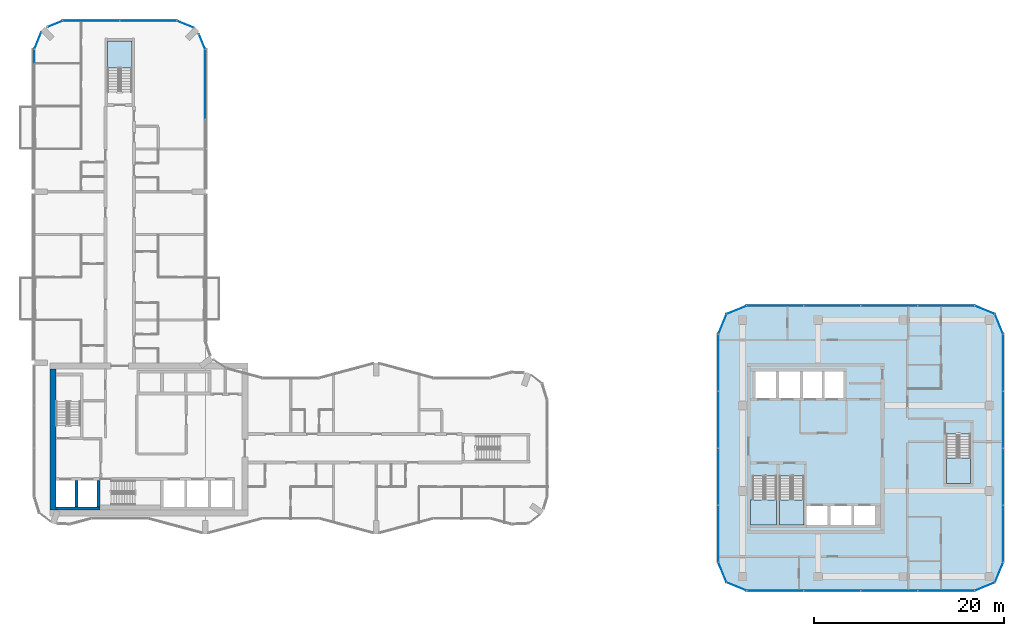
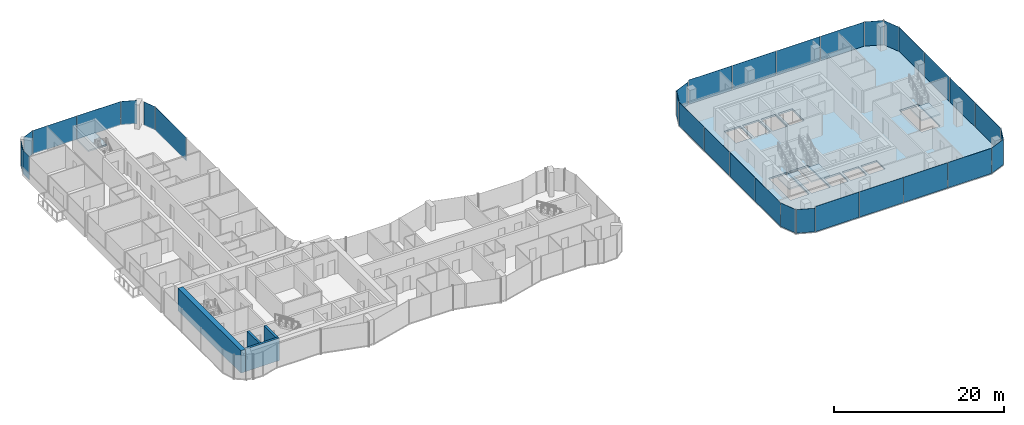
# One storey, part 12 of 22: 32 plates, 5 slabs, 4 walls, 23 elements without a shape of their own.
"""IFC4 building model written with IfcOpenShell, lengths in metres."""

from ifc_helpers import new_model, si_unit, direction, frame, frame_2d, origin, origin_2d, place, context, subcontext, project, spatial, polyline, rectangle, outline, extrude, material, layer, layer_set, type_object, element, aggregate, save


model = new_model("IFC4")

# Units and contexts
model_context = context("Model", 3, precision=1e-05, world=origin(), true_north=direction((0.0, 1.0)))
body_context = subcontext(model_context, "Body", "Model", "MODEL_VIEW")
ifc_project = project(units=[si_unit("LENGTHUNIT", "METRE"), si_unit("AREAUNIT", "SQUARE_METRE"), si_unit("VOLUMEUNIT", "CUBIC_METRE"), si_unit("PLANEANGLEUNIT", "RADIAN"), si_unit("MASSUNIT", "GRAM", prefix="KILO")], contexts=[model_context])

# Site, building, storey
site_placement = place(None, origin())
site = spatial("IfcSite", under=ifc_project, at=site_placement, CompositionType="ELEMENT")
building_placement = place(site_placement, origin())
building = spatial("IfcBuilding", under=site, at=building_placement, Name="Plateau Cross Towers", CompositionType="ELEMENT")
storey_placement = place(building_placement, frame((0.0, 0.0, 113.300048828125)))
storey = spatial("IfcBuildingStorey", under=building, at=storey_placement, Name="L29", CompositionType="ELEMENT", Elevation=113.300048828125)

# Curtain wall, plates
ifc_material_1 = material(Name="Dark low-iron glass", Category="glass")
ifc_layer_1 = layer(ifc_material_1, 0.239990234375)
ifc_layer_set_1 = layer_set([ifc_layer_1], Name="Dark low-iron glass")
curtain_wall_type_1 = type_object("IfcCurtainWallType", Name="Curtain wall office unitised CW-F", PredefinedType="NOTDEFINED", material=ifc_layer_set_1)
curtain_wall_1_placement = place(storey_placement, origin())
curtain_wall_1 = element("IfcCurtainWall", 1, at=curtain_wall_1_placement, inside=storey, type_object=curtain_wall_type_1, Name="ENV/B/L29/B750_-60", PredefinedType="NOTDEFINED")
ifc_layer_2 = layer(ifc_material_1, 0.028076171875)
ifc_layer_set_2 = layer_set([ifc_layer_2], Name="Dark low-iron glass")
plate_type_1 = type_object("IfcPlateType", Name="Glass panel 28 office unitised", PredefinedType="CURTAIN_PANEL", material=ifc_layer_set_2)
plate_1_placement = place(storey_placement, frame((78.0, -6.0, -0.1298828125), z_axis=(0.0, 0.0, 1.0), x_axis=(1.0, 0.0, 0.0)))
plate_1 = element("IfcPlate", 2, at=plate_1_placement, type_object=plate_type_1, Name="CW-F panel 1", PredefinedType="CURTAIN_PANEL", context=body_context, shape_type="SweptSolid", body=[
    extrude(rectangle(XDim=5.93994140625, YDim=0.028076171875, at=origin_2d()), origin(), (0.0, 0.0, 1.0), 3.6298828125),
])
plate_2_placement = place(storey_placement, frame((84.0, -6.0, -0.1298828125), z_axis=(0.0, 0.0, 1.0), x_axis=(1.0, 0.0, 0.0)))
plate_2 = element("IfcPlate", 3, at=plate_2_placement, type_object=plate_type_1, Name="CW-F panel 2", PredefinedType="CURTAIN_PANEL", context=body_context, shape_type="SweptSolid", body=[
    extrude(rectangle(XDim=5.93994140625, YDim=0.028076171875, at=origin_2d()), origin(), (0.0, 0.0, 1.0), 3.6298828125),
])
plate_3_placement = place(storey_placement, frame((90.0, -6.0, -0.1298828125), z_axis=(0.0, 0.0, 1.0), x_axis=(1.0, 0.0, 0.0)))
plate_3 = element("IfcPlate", 4, at=plate_3_placement, type_object=plate_type_1, Name="CW-F panel 3", PredefinedType="CURTAIN_PANEL", context=body_context, shape_type="SweptSolid", body=[
    extrude(rectangle(XDim=5.93994140625, YDim=0.028076171875, at=origin_2d()), origin(), (0.0, 0.0, 1.0), 3.6298828125),
])
plate_4_placement = place(storey_placement, frame((96.0, -6.0, -0.1298828125), z_axis=(0.0, 0.0, 1.0), x_axis=(1.0, 0.0, 0.0)))
plate_4 = element("IfcPlate", 5, at=plate_4_placement, type_object=plate_type_1, Name="CW-F panel 4", PredefinedType="CURTAIN_PANEL", context=body_context, shape_type="SweptSolid", body=[
    extrude(rectangle(XDim=5.93994140625, YDim=0.028076171875, at=origin_2d()), origin(), (0.0, 0.0, 1.0), 3.6298828125),
])
aggregate(curtain_wall_1, [plate_1, plate_2, plate_3, plate_4])

# Curtain wall, plate
curtain_wall_2_placement = place(storey_placement, origin())
curtain_wall_2 = element("IfcCurtainWall", 6, at=curtain_wall_2_placement, inside=storey, type_object=curtain_wall_type_1, Name="ENV/B/L29/B990_-60", PredefinedType="NOTDEFINED")
plate_5_placement = place(storey_placement, frame((100.060546875, -5.560546875, -0.1298828125), z_axis=(0.0, 0.0, 1.0), x_axis=(0.923879457699, 0.382683612978, 0.0)))
plate_5 = element("IfcPlate", 7, at=plate_5_placement, type_object=plate_type_1, Name="CW-F panel 1", PredefinedType="CURTAIN_PANEL", context=body_context, shape_type="SweptSolid", body=[
    extrude(rectangle(XDim=2.236083984375, YDim=0.028076171875, at=origin_2d()), origin(), (0.0, 0.0, 1.0), 3.6298828125),
])
aggregate(curtain_wall_2, [plate_5])

curtain_wall_3_placement = place(storey_placement, origin())
curtain_wall_3 = element("IfcCurtainWall", 8, at=curtain_wall_3_placement, inside=storey, type_object=curtain_wall_type_1, Name="ENV/B/L29/B1011_-51", PredefinedType="NOTDEFINED")
plate_6_placement = place(storey_placement, frame((101.560546875, -4.060546875, -0.1298828125), z_axis=(0.0, 0.0, 1.0), x_axis=(0.382683612978, 0.923879457699, 0.0)))
plate_6 = element("IfcPlate", 9, at=plate_6_placement, type_object=plate_type_1, Name="CW-F panel 1", PredefinedType="CURTAIN_PANEL", context=body_context, shape_type="SweptSolid", body=[
    extrude(rectangle(XDim=2.236083984375, YDim=0.028076171875, at=origin_2d()), origin(), (0.0, 0.0, 1.0), 3.6298828125),
])
aggregate(curtain_wall_3, [plate_6])

# Curtain wall, plates
curtain_wall_4_placement = place(storey_placement, origin())
curtain_wall_4 = element("IfcCurtainWall", 10, at=curtain_wall_4_placement, inside=storey, type_object=curtain_wall_type_1, Name="ENV/B/L29/B1020_-30", PredefinedType="NOTDEFINED")
plate_7_placement = place(storey_placement, frame((102.0, 0.0, -0.1298828125), z_axis=(0.0, 0.0, 1.0), x_axis=(0.0, 1.0, 0.0)))
plate_7 = element("IfcPlate", 11, at=plate_7_placement, type_object=plate_type_1, Name="CW-F panel 1", PredefinedType="CURTAIN_PANEL", context=body_context, shape_type="SweptSolid", body=[
    extrude(rectangle(XDim=5.93994140625, YDim=0.028076171875, at=origin_2d()), origin(), (0.0, 0.0, 1.0), 3.6298828125),
])
plate_8_placement = place(storey_placement, frame((102.0, 6.0, -0.1298828125), z_axis=(0.0, 0.0, 1.0), x_axis=(0.0, 1.0, 0.0)))
plate_8 = element("IfcPlate", 12, at=plate_8_placement, type_object=plate_type_1, Name="CW-F panel 2", PredefinedType="CURTAIN_PANEL", context=body_context, shape_type="SweptSolid", body=[
    extrude(rectangle(XDim=5.93994140625, YDim=0.028076171875, at=origin_2d()), origin(), (0.0, 0.0, 1.0), 3.6298828125),
])
plate_9_placement = place(storey_placement, frame((102.0, 12.0, -0.1298828125), z_axis=(0.0, 0.0, 1.0), x_axis=(0.0, 1.0, 0.0)))
plate_9 = element("IfcPlate", 13, at=plate_9_placement, type_object=plate_type_1, Name="CW-F panel 3", PredefinedType="CURTAIN_PANEL", context=body_context, shape_type="SweptSolid", body=[
    extrude(rectangle(XDim=5.93994140625, YDim=0.028076171875, at=origin_2d()), origin(), (0.0, 0.0, 1.0), 3.6298828125),
])
plate_10_placement = place(storey_placement, frame((102.0, 18.0, -0.1298828125), z_axis=(0.0, 0.0, 1.0), x_axis=(0.0, 1.0, 0.0)))
plate_10 = element("IfcPlate", 14, at=plate_10_placement, type_object=plate_type_1, Name="CW-F panel 4", PredefinedType="CURTAIN_PANEL", context=body_context, shape_type="SweptSolid", body=[
    extrude(rectangle(XDim=5.93994140625, YDim=0.028076171875, at=origin_2d()), origin(), (0.0, 0.0, 1.0), 3.6298828125),
])
aggregate(curtain_wall_4, [plate_7, plate_8, plate_9, plate_10])

# Curtain wall, plate
curtain_wall_5_placement = place(storey_placement, origin())
curtain_wall_5 = element("IfcCurtainWall", 15, at=curtain_wall_5_placement, inside=storey, type_object=curtain_wall_type_1, Name="ENV/B/L29/B1020_210", PredefinedType="NOTDEFINED")
plate_11_placement = place(storey_placement, frame((101.560546875, 22.060546875, -0.1298828125), z_axis=(0.0, 0.0, 1.0), x_axis=(-0.382683612978, 0.923879457699, 0.0)))
plate_11 = element("IfcPlate", 16, at=plate_11_placement, type_object=plate_type_1, Name="CW-F panel 1", PredefinedType="CURTAIN_PANEL", context=body_context, shape_type="SweptSolid", body=[
    extrude(rectangle(XDim=2.236083984375, YDim=0.028076171875, at=origin_2d()), origin(), (0.0, 0.0, 1.0), 3.6298828125),
])
aggregate(curtain_wall_5, [plate_11])

curtain_wall_6_placement = place(storey_placement, origin())
curtain_wall_6 = element("IfcCurtainWall", 17, at=curtain_wall_6_placement, inside=storey, type_object=curtain_wall_type_1, Name="ENV/B/L29/B1011_231", PredefinedType="NOTDEFINED")
plate_12_placement = place(storey_placement, frame((100.060546875, 23.560546875, -0.1298828125), z_axis=(0.0, 0.0, 1.0), x_axis=(-0.923879457699, 0.382683612978, 0.0)))
plate_12 = element("IfcPlate", 18, at=plate_12_placement, type_object=plate_type_1, Name="CW-F panel 1", PredefinedType="CURTAIN_PANEL", context=body_context, shape_type="SweptSolid", body=[
    extrude(rectangle(XDim=2.236083984375, YDim=0.028076171875, at=origin_2d()), origin(), (0.0, 0.0, 1.0), 3.6298828125),
])
aggregate(curtain_wall_6, [plate_12])

# Curtain wall, plates
curtain_wall_7_placement = place(storey_placement, origin())
curtain_wall_7 = element("IfcCurtainWall", 19, at=curtain_wall_7_placement, inside=storey, type_object=curtain_wall_type_1, Name="ENV/B/L29/B990_240", PredefinedType="NOTDEFINED")
plate_13_placement = place(storey_placement, frame((96.0, 24.0, -0.1298828125), z_axis=(0.0, 0.0, 1.0), x_axis=(-1.0, 0.0, 0.0)))
plate_13 = element("IfcPlate", 20, at=plate_13_placement, type_object=plate_type_1, Name="CW-F panel 1", PredefinedType="CURTAIN_PANEL", context=body_context, shape_type="SweptSolid", body=[
    extrude(rectangle(XDim=5.93994140625, YDim=0.028076171875, at=origin_2d()), origin(), (0.0, 0.0, 1.0), 3.6298828125),
])
plate_14_placement = place(storey_placement, frame((90.0, 24.0, -0.1298828125), z_axis=(0.0, 0.0, 1.0), x_axis=(-1.0, 0.0, 0.0)))
plate_14 = element("IfcPlate", 21, at=plate_14_placement, type_object=plate_type_1, Name="CW-F panel 2", PredefinedType="CURTAIN_PANEL", context=body_context, shape_type="SweptSolid", body=[
    extrude(rectangle(XDim=5.93994140625, YDim=0.028076171875, at=origin_2d()), origin(), (0.0, 0.0, 1.0), 3.6298828125),
])
plate_15_placement = place(storey_placement, frame((84.0, 24.0, -0.1298828125), z_axis=(0.0, 0.0, 1.0), x_axis=(-1.0, 0.0, 0.0)))
plate_15 = element("IfcPlate", 22, at=plate_15_placement, type_object=plate_type_1, Name="CW-F panel 3", PredefinedType="CURTAIN_PANEL", context=body_context, shape_type="SweptSolid", body=[
    extrude(rectangle(XDim=5.93994140625, YDim=0.028076171875, at=origin_2d()), origin(), (0.0, 0.0, 1.0), 3.6298828125),
])
plate_16_placement = place(storey_placement, frame((78.0, 24.0, -0.1298828125), z_axis=(0.0, 0.0, 1.0), x_axis=(-1.0, 0.0, 0.0)))
plate_16 = element("IfcPlate", 23, at=plate_16_placement, type_object=plate_type_1, Name="CW-F panel 4", PredefinedType="CURTAIN_PANEL", context=body_context, shape_type="SweptSolid", body=[
    extrude(rectangle(XDim=5.93994140625, YDim=0.028076171875, at=origin_2d()), origin(), (0.0, 0.0, 1.0), 3.6298828125),
])
aggregate(curtain_wall_7, [plate_13, plate_14, plate_15, plate_16])

# Curtain wall, plate
curtain_wall_8_placement = place(storey_placement, origin())
curtain_wall_8 = element("IfcCurtainWall", 24, at=curtain_wall_8_placement, inside=storey, type_object=curtain_wall_type_1, Name="ENV/B/L29/B750_240", PredefinedType="NOTDEFINED")
plate_17_placement = place(storey_placement, frame((73.939453125, 23.560546875, -0.1298828125), z_axis=(0.0, 0.0, 1.0), x_axis=(-0.923879457699, -0.382683612978, 0.0)))
plate_17 = element("IfcPlate", 25, at=plate_17_placement, type_object=plate_type_1, Name="CW-F panel 1", PredefinedType="CURTAIN_PANEL", context=body_context, shape_type="SweptSolid", body=[
    extrude(rectangle(XDim=2.236083984375, YDim=0.028076171875, at=origin_2d()), origin(), (0.0, 0.0, 1.0), 3.3798828125),
])
aggregate(curtain_wall_8, [plate_17])

curtain_wall_9_placement = place(storey_placement, origin())
curtain_wall_9 = element("IfcCurtainWall", 26, at=curtain_wall_9_placement, inside=storey, type_object=curtain_wall_type_1, Name="ENV/B/L29/B729_231", PredefinedType="NOTDEFINED")
plate_18_placement = place(storey_placement, frame((72.439453125, 22.060546875, -0.1298828125), z_axis=(0.0, 0.0, 1.0), x_axis=(-0.382683612978, -0.923879457699, 0.0)))
plate_18 = element("IfcPlate", 27, at=plate_18_placement, type_object=plate_type_1, Name="CW-F panel 1", PredefinedType="CURTAIN_PANEL", context=body_context, shape_type="SweptSolid", body=[
    extrude(rectangle(XDim=2.236083984375, YDim=0.028076171875, at=origin_2d()), origin(), (0.0, 0.0, 1.0), 3.3798828125),
])
aggregate(curtain_wall_9, [plate_18])

# Curtain wall, plates
curtain_wall_10_placement = place(storey_placement, origin())
curtain_wall_10 = element("IfcCurtainWall", 28, at=curtain_wall_10_placement, inside=storey, type_object=curtain_wall_type_1, Name="ENV/B/L29/B720_210", PredefinedType="NOTDEFINED")
plate_19_placement = place(storey_placement, frame((72.0, 18.0, -0.1298828125), z_axis=(0.0, 0.0, 1.0), x_axis=(0.0, -1.0, 0.0)))
plate_19 = element("IfcPlate", 29, at=plate_19_placement, type_object=plate_type_1, Name="CW-F panel 1", PredefinedType="CURTAIN_PANEL", context=body_context, shape_type="SweptSolid", body=[
    extrude(rectangle(XDim=5.93994140625, YDim=0.028076171875, at=origin_2d()), origin(), (0.0, 0.0, 1.0), 3.3798828125),
])
plate_20_placement = place(storey_placement, frame((72.0, 12.0, -0.1298828125), z_axis=(0.0, 0.0, 1.0), x_axis=(0.0, -1.0, 0.0)))
plate_20 = element("IfcPlate", 30, at=plate_20_placement, type_object=plate_type_1, Name="CW-F panel 2", PredefinedType="CURTAIN_PANEL", context=body_context, shape_type="SweptSolid", body=[
    extrude(rectangle(XDim=5.93994140625, YDim=0.028076171875, at=origin_2d()), origin(), (0.0, 0.0, 1.0), 3.3798828125),
])
plate_21_placement = place(storey_placement, frame((72.0, 6.0, -0.1298828125), z_axis=(0.0, 0.0, 1.0), x_axis=(0.0, -1.0, 0.0)))
plate_21 = element("IfcPlate", 31, at=plate_21_placement, type_object=plate_type_1, Name="CW-F panel 3", PredefinedType="CURTAIN_PANEL", context=body_context, shape_type="SweptSolid", body=[
    extrude(rectangle(XDim=5.93994140625, YDim=0.028076171875, at=origin_2d()), origin(), (0.0, 0.0, 1.0), 3.3798828125),
])
plate_22_placement = place(storey_placement, frame((72.0, 0.0, -0.1298828125), z_axis=(0.0, 0.0, 1.0), x_axis=(0.0, -1.0, 0.0)))
plate_22 = element("IfcPlate", 32, at=plate_22_placement, type_object=plate_type_1, Name="CW-F panel 4", PredefinedType="CURTAIN_PANEL", context=body_context, shape_type="SweptSolid", body=[
    extrude(rectangle(XDim=5.93994140625, YDim=0.028076171875, at=origin_2d()), origin(), (0.0, 0.0, 1.0), 3.3798828125),
])
aggregate(curtain_wall_10, [plate_19, plate_20, plate_21, plate_22])

# Curtain wall, plate
curtain_wall_11_placement = place(storey_placement, origin())
curtain_wall_11 = element("IfcCurtainWall", 33, at=curtain_wall_11_placement, inside=storey, type_object=curtain_wall_type_1, Name="ENV/B/L29/B720_-30", PredefinedType="NOTDEFINED")
plate_23_placement = place(storey_placement, frame((72.439453125, -4.060546875, -0.1298828125), z_axis=(0.0, 0.0, 1.0), x_axis=(0.382683612978, -0.923879457699, 0.0)))
plate_23 = element("IfcPlate", 34, at=plate_23_placement, type_object=plate_type_1, Name="CW-F panel 1", PredefinedType="CURTAIN_PANEL", context=body_context, shape_type="SweptSolid", body=[
    extrude(rectangle(XDim=2.236083984375, YDim=0.028076171875, at=origin_2d()), origin(), (0.0, 0.0, 1.0), 3.3798828125),
])
aggregate(curtain_wall_11, [plate_23])

curtain_wall_12_placement = place(storey_placement, origin())
curtain_wall_12 = element("IfcCurtainWall", 35, at=curtain_wall_12_placement, inside=storey, type_object=curtain_wall_type_1, Name="ENV/B/L29/B729_-51", PredefinedType="NOTDEFINED")
plate_24_placement = place(storey_placement, frame((73.939453125, -5.560546875, -0.1298828125), z_axis=(0.0, 0.0, 1.0), x_axis=(0.923879457699, -0.382683612978, 0.0)))
plate_24 = element("IfcPlate", 36, at=plate_24_placement, type_object=plate_type_1, Name="CW-F panel 1", PredefinedType="CURTAIN_PANEL", context=body_context, shape_type="SweptSolid", body=[
    extrude(rectangle(XDim=2.236083984375, YDim=0.028076171875, at=origin_2d()), origin(), (0.0, 0.0, 1.0), 3.3798828125),
])
aggregate(curtain_wall_12, [plate_24])

ifc_layer_3 = layer(ifc_material_1, 0.239990234375)
ifc_layer_set_3 = layer_set([ifc_layer_3], Name="Dark low-iron glass")
curtain_wall_type_2 = type_object("IfcCurtainWallType", Name="Curtain wall flush unitised CW-B", PredefinedType="NOTDEFINED", material=ifc_layer_set_3)
curtain_wall_13_placement = place(storey_placement, origin())
curtain_wall_13 = element("IfcCurtainWall", 37, at=curtain_wall_13_placement, inside=storey, type_object=curtain_wall_type_2, Name="ENV/A/L29/A180_363", PredefinedType="NOTDEFINED")
ifc_layer_4 = layer(ifc_material_1, 0.031982421875)
ifc_layer_set_4 = layer_set([ifc_layer_4], Name="Dark low-iron glass")
plate_type_2 = type_object("IfcPlateType", Name="Glass panel 32 flush unitised", PredefinedType="CURTAIN_PANEL", material=ifc_layer_set_4)
plate_25_placement = place(storey_placement, frame((18.0, 47.324951171875, -0.1298828125), z_axis=(0.0, 0.0, 1.0), x_axis=(0.0, 1.0, 0.0)))
plate_25 = element("IfcPlate", 38, at=plate_25_placement, type_object=plate_type_2, Name="CW-B panel 2", PredefinedType="CURTAIN_PANEL", context=body_context, shape_type="SweptSolid", body=[
    extrude(rectangle(XDim=7.2900390625, YDim=0.031982421875, at=origin_2d()), origin(), (0.0, 0.0, 1.0), 3.3798828125),
])
aggregate(curtain_wall_13, [plate_25])

curtain_wall_14_placement = place(storey_placement, origin())
curtain_wall_14 = element("IfcCurtainWall", 39, at=curtain_wall_14_placement, inside=storey, type_object=curtain_wall_type_2, Name="ENV/A/L29/A180_510", PredefinedType="NOTDEFINED")
plate_26_placement = place(storey_placement, frame((17.66943359375, 51.79833984375, -0.1298828125), z_axis=(0.0, 0.0, 1.0), x_axis=(-0.382683612978, 0.923879457699, 0.0)))
plate_26 = element("IfcPlate", 40, at=plate_26_placement, type_object=plate_type_2, Name="CW-B panel 1", PredefinedType="CURTAIN_PANEL", context=body_context, shape_type="SweptSolid", body=[
    extrude(rectangle(XDim=1.668212890625, YDim=0.031982421875, at=origin_2d()), origin(), (0.0, 0.0, 1.0), 3.3798828125),
])
aggregate(curtain_wall_14, [plate_26])

curtain_wall_15_placement = place(storey_placement, origin())
curtain_wall_15 = element("IfcCurtainWall", 41, at=curtain_wall_15_placement, inside=storey, type_object=curtain_wall_type_2, Name="ENV/A/L29/A168_533", PredefinedType="NOTDEFINED")
plate_27_placement = place(storey_placement, frame((15.90283203125, 53.6259765625, -0.1298828125), z_axis=(0.0, 0.0, 1.0), x_axis=(-0.923879457699, 0.382683612978, 0.0)))
plate_27 = element("IfcPlate", 42, at=plate_27_placement, type_object=plate_type_2, Name="CW-B panel 1", PredefinedType="CURTAIN_PANEL", context=body_context, shape_type="SweptSolid", body=[
    extrude(rectangle(XDim=1.894775390625, YDim=0.031982421875, at=origin_2d()), origin(), (0.0, 0.0, 1.0), 3.3798828125),
])
aggregate(curtain_wall_15, [plate_27])

# Curtain wall, plates
curtain_wall_16_placement = place(storey_placement, origin())
curtain_wall_16 = element("IfcCurtainWall", 43, at=curtain_wall_16_placement, inside=storey, type_object=curtain_wall_type_2, Name="ENV/A/L29/A150_540", PredefinedType="NOTDEFINED")
plate_28_placement = place(storey_placement, frame((12.0, 54.0, -0.1298828125), z_axis=(0.0, 0.0, 1.0), x_axis=(-1.0, 0.0, 0.0)))
plate_28 = element("IfcPlate", 44, at=plate_28_placement, type_object=plate_type_2, Name="CW-B panel 1", PredefinedType="CURTAIN_PANEL", context=body_context, shape_type="SweptSolid", body=[
    extrude(rectangle(XDim=5.93994140625, YDim=0.031982421875, at=origin_2d()), origin(), (0.0, 0.0, 1.0), 3.3798828125),
])
plate_29_placement = place(storey_placement, frame((6.0, 54.0, -0.1298828125), z_axis=(0.0, 0.0, 1.0), x_axis=(-1.0, 0.0, 0.0)))
plate_29 = element("IfcPlate", 45, at=plate_29_placement, type_object=plate_type_2, Name="CW-B panel 2", PredefinedType="CURTAIN_PANEL", context=body_context, shape_type="SweptSolid", body=[
    extrude(rectangle(XDim=5.93994140625, YDim=0.031982421875, at=origin_2d()), origin(), (0.0, 0.0, 1.0), 3.3798828125),
])
aggregate(curtain_wall_16, [plate_28, plate_29])

# Curtain wall, plate
curtain_wall_17_placement = place(storey_placement, origin())
curtain_wall_17 = element("IfcCurtainWall", 46, at=curtain_wall_17_placement, inside=storey, type_object=curtain_wall_type_2, Name="ENV/A/L29/A30_540", PredefinedType="NOTDEFINED")
plate_30_placement = place(storey_placement, frame((2.20166015625, 53.66943359375, -0.1298828125), z_axis=(0.0, 0.0, 1.0), x_axis=(-0.923879457699, -0.382683612978, 0.0)))
plate_30 = element("IfcPlate", 47, at=plate_30_placement, type_object=plate_type_2, Name="CW-B panel 1", PredefinedType="CURTAIN_PANEL", context=body_context, shape_type="SweptSolid", body=[
    extrude(rectangle(XDim=1.668212890625, YDim=0.031982421875, at=origin_2d()), origin(), (0.0, 0.0, 1.0), 3.3798828125),
])
aggregate(curtain_wall_17, [plate_30])

curtain_wall_18_placement = place(storey_placement, origin())
curtain_wall_18 = element("IfcCurtainWall", 48, at=curtain_wall_18_placement, inside=storey, type_object=curtain_wall_type_2, Name="ENV/A/L29/A7_528", PredefinedType="NOTDEFINED")
plate_31_placement = place(storey_placement, frame((0.3740234375, 51.90283203125, -0.1298828125), z_axis=(0.0, 0.0, 1.0), x_axis=(-0.382683612978, -0.923879457699, 0.0)))
plate_31 = element("IfcPlate", 49, at=plate_31_placement, type_object=plate_type_2, Name="CW-B panel 1", PredefinedType="CURTAIN_PANEL", context=body_context, shape_type="SweptSolid", body=[
    extrude(rectangle(XDim=1.894775390625, YDim=0.031982421875, at=origin_2d()), origin(), (0.0, 0.0, 1.0), 3.3798828125),
])
aggregate(curtain_wall_18, [plate_31])

curtain_wall_19_placement = place(storey_placement, origin())
curtain_wall_19 = element("IfcCurtainWall", 50, at=curtain_wall_19_placement, inside=storey, type_object=curtain_wall_type_2, Name="ENV/A/L29/A0_510", PredefinedType="NOTDEFINED")
plate_32_placement = place(storey_placement, frame((0.0, 50.25, -0.1298828125), z_axis=(0.0, 0.0, 1.0), x_axis=(0.0, -1.0, 0.0)))
plate_32 = element("IfcPlate", 51, at=plate_32_placement, type_object=plate_type_2, Name="CW-B panel 1", PredefinedType="CURTAIN_PANEL", context=body_context, shape_type="SweptSolid", body=[
    extrude(rectangle(XDim=1.43994140625, YDim=0.031982421875, at=origin_2d()), origin(), (0.0, 0.0, 1.0), 3.3798828125),
])
aggregate(curtain_wall_19, [plate_32])

# Slab
ifc_material_2 = material(Name="Concrete C40/50", Category="concrete")
ifc_layer_5 = layer(ifc_material_2, 0.25)
ifc_layer_set_5 = layer_set([ifc_layer_5], Name="Concrete C40/50")
slab_type_1 = type_object("IfcSlabType", Name="Post-tensioned flat plate slab 250", PredefinedType="FLOOR", material=ifc_layer_set_5)
slab_1_placement = place(storey_placement, frame((0.0, 0.0, -0.25)))
element("IfcSlab", 52, at=slab_1_placement, inside=storey, type_object=slab_type_1, Name="SL-B-L29", PredefinedType="FLOOR", context=body_context, shape_type="SweptSolid", body=[
    extrude(outline(polyline([(72.878662109375, -5.121337890625), (72.0, -3.0), (72.0, 21.0), (72.878662109375, 23.121337890625), (75.0, 24.0), (99.0, 24.0), (101.121337890625, 23.121337890625), (102.0, 21.0), (102.0, -3.0), (101.121337890625, -5.121337890625), (99.0, -6.0), (75.0, -6.0), (72.878662109375, -5.121337890625)]), holes=[polyline([(75.60009765625, 0.89990234375), (78.14990234375, 0.89990234375), (78.14990234375, 6.10009765625), (75.60009765625, 6.10009765625), (75.60009765625, 0.89990234375)]), polyline([(78.10009765625, 14.300048828125), (78.10009765625, 17.10009765625), (75.89990234375, 17.10009765625), (75.89990234375, 14.300048828125), (78.10009765625, 14.300048828125)]), polyline([(83.5, 0.89990234375), (83.5, 2.89990234375), (81.300048828125, 2.89990234375), (81.300048828125, 0.89990234375), (83.5, 0.89990234375)]), polyline([(86.0, 0.89990234375), (86.0, 2.89990234375), (83.800048828125, 2.89990234375), (83.800048828125, 0.89990234375), (86.0, 0.89990234375)]), polyline([(88.5, 0.89990234375), (88.5, 2.89990234375), (86.300048828125, 2.89990234375), (86.300048828125, 0.89990234375), (88.5, 0.89990234375)]), polyline([(78.449951171875, 0.89990234375), (81.0, 0.89990234375), (81.0, 6.10009765625), (78.449951171875, 6.10009765625), (78.449951171875, 0.89990234375)]), polyline([(96.0, 5.300048828125), (98.550048828125, 5.300048828125), (98.550048828125, 10.5), (96.0, 10.5), (96.0, 5.300048828125)]), polyline([(80.60009765625, 14.300048828125), (80.60009765625, 17.10009765625), (78.39990234375, 17.10009765625), (78.39990234375, 14.300048828125), (80.60009765625, 14.300048828125)]), polyline([(80.89990234375, 14.300048828125), (82.89990234375, 14.300048828125), (82.89990234375, 17.10009765625), (80.89990234375, 17.10009765625), (80.89990234375, 14.300048828125)]), polyline([(83.199951171875, 14.300048828125), (85.199951171875, 14.300048828125), (85.199951171875, 17.10009765625), (83.199951171875, 17.10009765625), (83.199951171875, 14.300048828125)])]), origin(), (0.0, 0.0, 1.0), 0.25),
])

# Stair, slab
stair_type = type_object("IfcStairType", Name="ST-TWR", PredefinedType="HALF_TURN_STAIR", material=ifc_material_2)
stair_1_placement = place(storey_placement, origin())
stair_1 = element("IfcStair", 53, at=stair_1_placement, inside=storey, type_object=stair_type, Name="L29 Protected Exit Stair SB-1", PredefinedType="HALF_TURN_STAIR")
ifc_layer_6 = layer(ifc_material_2, 0.199951171875)
ifc_layer_set_6 = layer_set([ifc_layer_6], Name="Concrete C40/50")
slab_type_2 = type_object("IfcSlabType", Name="SL-LANDING", PredefinedType="LANDING", material=ifc_layer_set_6)
slab_2_placement = place(storey_placement, frame((0.0, 0.0, 1.550048828125)))
slab_2 = element("IfcSlab", 54, at=slab_2_placement, type_object=slab_type_2, Name="SB-1 landing 1", PredefinedType="LANDING", context=body_context, shape_type="SweptSolid", body=[
    extrude(outline(polyline([(75.39990234375, 3.580078125), (75.39990234375, 0.89990234375), (78.14990234375, 0.89990234375), (78.14990234375, 3.580078125), (75.39990234375, 3.580078125)])), origin(), (0.0, 0.0, 1.0), 0.199951171875),
])
aggregate(stair_1, [slab_2])

stair_2_placement = place(storey_placement, origin())
stair_2 = element("IfcStair", 55, at=stair_2_placement, inside=storey, type_object=stair_type, Name="L29 Protected Exit Stair SB-2", PredefinedType="HALF_TURN_STAIR")
slab_3_placement = place(storey_placement, frame((0.0, 0.0, 1.550048828125)))
slab_3 = element("IfcSlab", 56, at=slab_3_placement, type_object=slab_type_2, Name="SB-2 landing 1", PredefinedType="LANDING", context=body_context, shape_type="SweptSolid", body=[
    extrude(outline(polyline([(78.449951171875, 3.580078125), (78.449951171875, 0.89990234375), (81.0, 0.89990234375), (81.0, 3.580078125), (78.449951171875, 3.580078125)])), origin(), (0.0, 0.0, 1.0), 0.199951171875),
])
aggregate(stair_2, [slab_3])

stair_3_placement = place(storey_placement, origin())
stair_3 = element("IfcStair", 57, at=stair_3_placement, inside=storey, type_object=stair_type, Name="L29 Protected Exit Stair SB-3", PredefinedType="HALF_TURN_STAIR")
slab_4_placement = place(storey_placement, frame((0.0, 0.0, 1.550048828125)))
slab_4 = element("IfcSlab", 58, at=slab_4_placement, type_object=slab_type_2, Name="SB-3 landing 1", PredefinedType="LANDING", context=body_context, shape_type="SweptSolid", body=[
    extrude(outline(polyline([(96.0, 7.97998046875), (96.0, 5.300048828125), (98.550048828125, 5.300048828125), (98.550048828125, 7.97998046875), (96.0, 7.97998046875)])), origin(), (0.0, 0.0, 1.0), 0.199951171875),
])
aggregate(stair_3, [slab_4])

stair_4_placement = place(storey_placement, origin())
stair_4 = element("IfcStair", 59, at=stair_4_placement, inside=storey, type_object=stair_type, Name="L29 Protected Exit Stair N", PredefinedType="HALF_TURN_STAIR")
slab_5_placement = place(storey_placement, frame((0.0, 0.0, 1.550048828125)))
slab_5 = element("IfcSlab", 60, at=slab_5_placement, type_object=slab_type_2, Name="ES-N landing 1", PredefinedType="LANDING", context=body_context, shape_type="SweptSolid", body=[
    extrude(outline(polyline([(10.27490234375, 49.02001953125), (10.27490234375, 51.85009765625), (7.72509765625, 51.85009765625), (7.72509765625, 49.02001953125), (10.27490234375, 49.02001953125)])), origin(), (0.0, 0.0, 1.0), 0.199951171875),
])
aggregate(stair_4, [slab_5])

# Walls
ifc_material_3 = material(Name="Concrete C60/75", Category="concrete")
ifc_layer_7 = layer(ifc_material_3, 0.300048828125)
ifc_layer_set_7 = layer_set([ifc_layer_7], Name="Concrete C60/75")
wall_type_1 = type_object("IfcWallType", Name="Core shaft wall 300", PredefinedType="SHEAR", material=ifc_layer_set_7)
wall_1_placement = place(storey_placement, frame((2.300048828125, 2.64990234375, 0.0), z_axis=(0.0, 0.0, 1.0), x_axis=(1.0, 0.0, 0.0)))
element("IfcWall", 61, at=wall_1_placement, inside=storey, type_object=wall_type_1, Name="A-sb-back1@L29", PredefinedType="SHEAR", context=body_context, shape_type="SweptSolid", body=[
    extrude(rectangle(XDim=4.599853515625, YDim=0.300048828125, at=frame_2d((2.2998046875, 0.0))), origin(), (0.0, 0.0, 1.0), 3.25),
])
for number, where, z_axis, x_axis, name in (
    (62, (4.449951171875, 2.800048828125, 0.0), (0.0, 0.0, 1.0), (0.0, 1.0, 0.0), "A-sb-v1@L29"),
    (63, (6.75, 2.800048828125, 0.0), (0.0, 0.0, 1.0), (0.0, 1.0, 0.0), "A-sb-v2@L29"),
):
    element("IfcWall", number, at=place(storey_placement, frame(where, z_axis=z_axis, x_axis=x_axis)), inside=storey, type_object=wall_type_1, Name=name, PredefinedType="SHEAR", context=body_context, shape_type="SweptSolid", body=[
        extrude(rectangle(XDim=2.800048828125, YDim=0.300048828125, at=frame_2d((1.39990234375, 0.0))), origin(), (0.0, 0.0, 1.0), 3.25),
    ])
ifc_layer_8 = layer(ifc_material_3, 0.64990234375)
ifc_layer_set_8 = layer_set([ifc_layer_8], Name="Concrete C60/75")
wall_type_2 = type_object("IfcWallType", Name="Core shell wall 650", PredefinedType="SHEAR", material=ifc_layer_set_8)
wall_2_placement = place(storey_placement, frame((1.97509765625, 2.5, 0.0), z_axis=(0.0, 0.0, 1.0), x_axis=(0.0, 1.0, 0.0)))
element("IfcWall", 64, at=wall_2_placement, inside=storey, type_object=wall_type_2, Name="A-core-W@L29", PredefinedType="SHEAR", context=body_context, shape_type="SweptSolid", body=[
    extrude(rectangle(XDim=14.85009765625, YDim=0.64990234375, at=frame_2d((7.425048828125, 0.0))), origin(), (0.0, 0.0, 1.0), 3.25),
])

save(model, "model.ifc")
